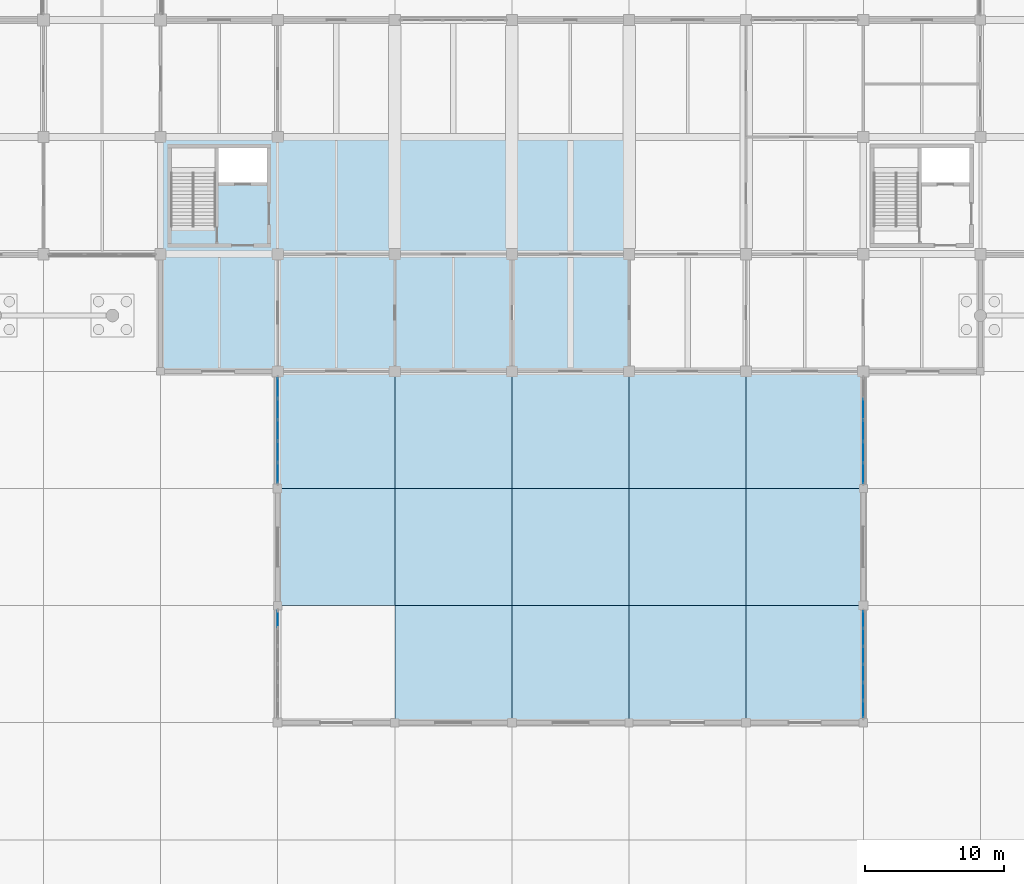
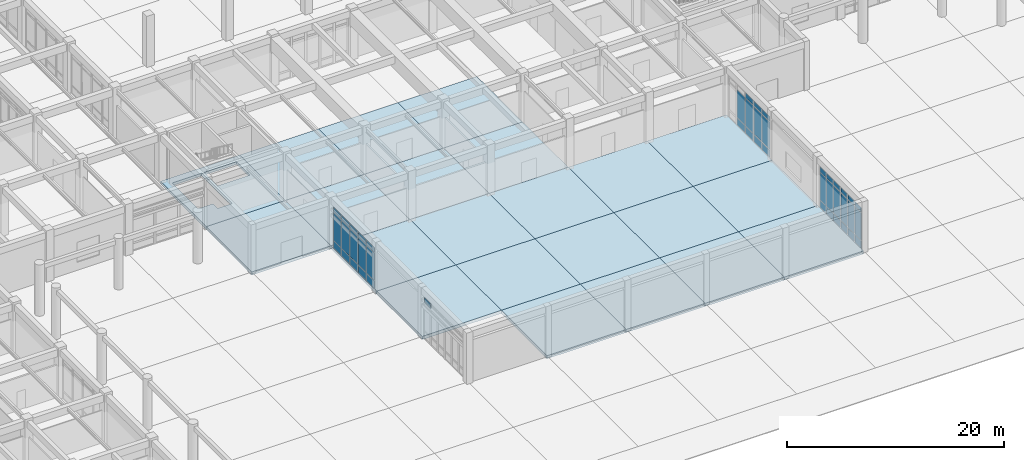
# One storey, part 50 of 91: 45 plates, 22 slabs, 4 elements without a shape of their own.
"""IFC4 building model written with IfcOpenShell, lengths in metres."""

from ifc_helpers import new_model, si_unit, direction, frame, origin, origin_2d, place, context, subcontext, project, spatial, polyline, rectangle, outline, extrude, material, layer, layer_set, type_object, element, aggregate, save


model = new_model("IFC4")

# Units and contexts
model_context = context("Model", 3, precision=1e-05, world=origin(), true_north=direction((0.0, 1.0)))
body_context = subcontext(model_context, "Body", "Model", "MODEL_VIEW")
ifc_project = project(units=[si_unit("LENGTHUNIT", "METRE"), si_unit("AREAUNIT", "SQUARE_METRE"), si_unit("VOLUMEUNIT", "CUBIC_METRE"), si_unit("PLANEANGLEUNIT", "RADIAN"), si_unit("MASSUNIT", "GRAM", prefix="KILO")], contexts=[model_context])

# Site, building, storey
site_placement = place(None, origin())
site = spatial("IfcSite", under=ifc_project, at=site_placement, CompositionType="ELEMENT")
building_placement = place(site_placement, origin())
building = spatial("IfcBuilding", under=site, at=building_placement, Name="Porcellanite Civic Hall", CompositionType="ELEMENT")
storey_placement = place(building_placement, origin())
storey = spatial("IfcBuildingStorey", under=building, at=storey_placement, Name="L00", CompositionType="ELEMENT", Elevation=0.0)

# Curtain wall, plate
ifc_material_1 = material(Name="Anodised aluminium and solar laminated glass", Category="aluminium")
ifc_layer_1 = layer(ifc_material_1, 0.179931640625)
ifc_layer_set_1 = layer_set([ifc_layer_1], Name="Anodised aluminium and solar laminated glass")
curtain_wall_type = type_object("IfcCurtainWallType", Name="CW-SYS01", PredefinedType="NOTDEFINED", material=ifc_layer_set_1)
curtain_wall_1_placement = place(storey_placement, origin())
curtain_wall_1 = element("IfcCurtainWall", 1, at=curtain_wall_1_placement, inside=storey, type_object=curtain_wall_type, Name="Curtain wall CW-027", PredefinedType="NOTDEFINED")
ifc_material_2 = material(Name="Cyclone laminated solar-control low-E glass", Category="glass")
ifc_layer_2 = layer(ifc_material_2, 0.02392578125)
ifc_layer_set_2 = layer_set([ifc_layer_2], Name="Cyclone laminated solar-control low-E glass")
plate_type = type_object("IfcPlateType", Name="CWP-01", PredefinedType="CURTAIN_PANEL", material=ifc_layer_set_2)
plate_1_placement = place(storey_placement, frame((67.199951171875, 24.231201171875, 4.0849609375), z_axis=(0.0, 0.0, 1.0), x_axis=(0.0, 1.0, 0.0)))
plate_1 = element("IfcPlate", 2, at=plate_1_placement, type_object=plate_type, Name="CW-027 panel 6.3", PredefinedType="CURTAIN_PANEL", context=body_context, shape_type="SweptSolid", body=[
    extrude(rectangle(XDim=1.175537109375, YDim=0.02392578125, at=origin_2d()), origin(), (0.0, 0.0, 1.0), 0.544921875),
])
aggregate(curtain_wall_1, [plate_1])

# Curtain wall, plates
curtain_wall_2_placement = place(storey_placement, origin())
curtain_wall_2 = element("IfcCurtainWall", 3, at=curtain_wall_2_placement, inside=storey, type_object=curtain_wall_type, Name="Curtain wall CW-028", PredefinedType="NOTDEFINED")
plate_2_placement = place(storey_placement, frame((67.199951171875, 34.71337890625, 0.070068359375), z_axis=(0.0, 0.0, 1.0), x_axis=(0.0, 1.0, 0.0)))
plate_2 = element("IfcPlate", 4, at=plate_2_placement, type_object=plate_type, Name="CW-028 panel 1.1", PredefinedType="CURTAIN_PANEL", context=body_context, shape_type="SweptSolid", body=[
    extrude(rectangle(XDim=1.41455078125, YDim=0.02392578125, at=origin_2d()), origin(), (0.0, 0.0, 1.0), 0.794921875),
])
plate_3_placement = place(storey_placement, frame((67.199951171875, 34.71337890625, 0.93505859375), z_axis=(0.0, 0.0, 1.0), x_axis=(0.0, 1.0, 0.0)))
plate_3 = element("IfcPlate", 5, at=plate_3_placement, type_object=plate_type, Name="CW-028 panel 1.2", PredefinedType="CURTAIN_PANEL", context=body_context, shape_type="SweptSolid", body=[
    extrude(rectangle(XDim=1.41455078125, YDim=0.02392578125, at=origin_2d()), origin(), (0.0, 0.0, 1.0), 3.080078125),
])
plate_4_placement = place(storey_placement, frame((67.199951171875, 34.71337890625, 4.0849609375), z_axis=(0.0, 0.0, 1.0), x_axis=(0.0, 1.0, 0.0)))
plate_4 = element("IfcPlate", 6, at=plate_4_placement, type_object=plate_type, Name="CW-028 panel 1.3", PredefinedType="CURTAIN_PANEL", context=body_context, shape_type="SweptSolid", body=[
    extrude(rectangle(XDim=1.41455078125, YDim=0.02392578125, at=origin_2d()), origin(), (0.0, 0.0, 1.0), 0.544921875),
])
plate_5_placement = place(storey_placement, frame((67.199951171875, 36.227783203125, 0.070068359375), z_axis=(0.0, 0.0, 1.0), x_axis=(0.0, 1.0, 0.0)))
plate_5 = element("IfcPlate", 7, at=plate_5_placement, type_object=plate_type, Name="CW-028 panel 2.1", PredefinedType="CURTAIN_PANEL", context=body_context, shape_type="SweptSolid", body=[
    extrude(rectangle(XDim=1.45458984375, YDim=0.02392578125, at=origin_2d()), origin(), (0.0, 0.0, 1.0), 0.794921875),
])
plate_6_placement = place(storey_placement, frame((67.199951171875, 36.227783203125, 0.93505859375), z_axis=(0.0, 0.0, 1.0), x_axis=(0.0, 1.0, 0.0)))
plate_6 = element("IfcPlate", 8, at=plate_6_placement, type_object=plate_type, Name="CW-028 panel 2.2", PredefinedType="CURTAIN_PANEL", context=body_context, shape_type="SweptSolid", body=[
    extrude(rectangle(XDim=1.45458984375, YDim=0.02392578125, at=origin_2d()), origin(), (0.0, 0.0, 1.0), 3.080078125),
])
plate_7_placement = place(storey_placement, frame((67.199951171875, 36.227783203125, 4.0849609375), z_axis=(0.0, 0.0, 1.0), x_axis=(0.0, 1.0, 0.0)))
plate_7 = element("IfcPlate", 9, at=plate_7_placement, type_object=plate_type, Name="CW-028 panel 2.3", PredefinedType="CURTAIN_PANEL", context=body_context, shape_type="SweptSolid", body=[
    extrude(rectangle(XDim=1.45458984375, YDim=0.02392578125, at=origin_2d()), origin(), (0.0, 0.0, 1.0), 0.544921875),
])
plate_8_placement = place(storey_placement, frame((67.199951171875, 37.762451171875, 0.070068359375), z_axis=(0.0, 0.0, 1.0), x_axis=(0.0, 1.0, 0.0)))
plate_8 = element("IfcPlate", 10, at=plate_8_placement, type_object=plate_type, Name="CW-028 panel 3.1", PredefinedType="CURTAIN_PANEL", context=body_context, shape_type="SweptSolid", body=[
    extrude(rectangle(XDim=1.45458984375, YDim=0.02392578125, at=origin_2d()), origin(), (0.0, 0.0, 1.0), 0.794921875),
])
plate_9_placement = place(storey_placement, frame((67.199951171875, 37.762451171875, 0.93505859375), z_axis=(0.0, 0.0, 1.0), x_axis=(0.0, 1.0, 0.0)))
plate_9 = element("IfcPlate", 11, at=plate_9_placement, type_object=plate_type, Name="CW-028 panel 3.2", PredefinedType="CURTAIN_PANEL", context=body_context, shape_type="SweptSolid", body=[
    extrude(rectangle(XDim=1.45458984375, YDim=0.02392578125, at=origin_2d()), origin(), (0.0, 0.0, 1.0), 3.080078125),
])
plate_10_placement = place(storey_placement, frame((67.199951171875, 37.762451171875, 4.0849609375), z_axis=(0.0, 0.0, 1.0), x_axis=(0.0, 1.0, 0.0)))
plate_10 = element("IfcPlate", 12, at=plate_10_placement, type_object=plate_type, Name="CW-028 panel 3.3", PredefinedType="CURTAIN_PANEL", context=body_context, shape_type="SweptSolid", body=[
    extrude(rectangle(XDim=1.45458984375, YDim=0.02392578125, at=origin_2d()), origin(), (0.0, 0.0, 1.0), 0.544921875),
])
plate_11_placement = place(storey_placement, frame((67.199951171875, 39.297119140625, 0.070068359375), z_axis=(0.0, 0.0, 1.0), x_axis=(0.0, 1.0, 0.0)))
plate_11 = element("IfcPlate", 13, at=plate_11_placement, type_object=plate_type, Name="CW-028 panel 4.1", PredefinedType="CURTAIN_PANEL", context=body_context, shape_type="SweptSolid", body=[
    extrude(rectangle(XDim=1.45458984375, YDim=0.02392578125, at=origin_2d()), origin(), (0.0, 0.0, 1.0), 0.794921875),
])
plate_12_placement = place(storey_placement, frame((67.199951171875, 39.297119140625, 0.93505859375), z_axis=(0.0, 0.0, 1.0), x_axis=(0.0, 1.0, 0.0)))
plate_12 = element("IfcPlate", 14, at=plate_12_placement, type_object=plate_type, Name="CW-028 panel 4.2", PredefinedType="CURTAIN_PANEL", context=body_context, shape_type="SweptSolid", body=[
    extrude(rectangle(XDim=1.45458984375, YDim=0.02392578125, at=origin_2d()), origin(), (0.0, 0.0, 1.0), 3.080078125),
])
plate_13_placement = place(storey_placement, frame((67.199951171875, 39.297119140625, 4.0849609375), z_axis=(0.0, 0.0, 1.0), x_axis=(0.0, 1.0, 0.0)))
plate_13 = element("IfcPlate", 15, at=plate_13_placement, type_object=plate_type, Name="CW-028 panel 4.3", PredefinedType="CURTAIN_PANEL", context=body_context, shape_type="SweptSolid", body=[
    extrude(rectangle(XDim=1.45458984375, YDim=0.02392578125, at=origin_2d()), origin(), (0.0, 0.0, 1.0), 0.544921875),
])
plate_14_placement = place(storey_placement, frame((67.199951171875, 40.811767578125, 0.070068359375), z_axis=(0.0, 0.0, 1.0), x_axis=(0.0, 1.0, 0.0)))
plate_14 = element("IfcPlate", 16, at=plate_14_placement, type_object=plate_type, Name="CW-028 panel 5.1", PredefinedType="CURTAIN_PANEL", context=body_context, shape_type="SweptSolid", body=[
    extrude(rectangle(XDim=1.41455078125, YDim=0.02392578125, at=origin_2d()), origin(), (0.0, 0.0, 1.0), 0.794921875),
])
plate_15_placement = place(storey_placement, frame((67.199951171875, 40.811767578125, 0.93505859375), z_axis=(0.0, 0.0, 1.0), x_axis=(0.0, 1.0, 0.0)))
plate_15 = element("IfcPlate", 17, at=plate_15_placement, type_object=plate_type, Name="CW-028 panel 5.2", PredefinedType="CURTAIN_PANEL", context=body_context, shape_type="SweptSolid", body=[
    extrude(rectangle(XDim=1.41455078125, YDim=0.02392578125, at=origin_2d()), origin(), (0.0, 0.0, 1.0), 3.080078125),
])
plate_16_placement = place(storey_placement, frame((67.199951171875, 40.811767578125, 4.0849609375), z_axis=(0.0, 0.0, 1.0), x_axis=(0.0, 1.0, 0.0)))
plate_16 = element("IfcPlate", 18, at=plate_16_placement, type_object=plate_type, Name="CW-028 panel 5.3", PredefinedType="CURTAIN_PANEL", context=body_context, shape_type="SweptSolid", body=[
    extrude(rectangle(XDim=1.41455078125, YDim=0.02392578125, at=origin_2d()), origin(), (0.0, 0.0, 1.0), 0.544921875),
])
aggregate(curtain_wall_2, [plate_2, plate_3, plate_4, plate_5, plate_6, plate_7, plate_8, plate_9, plate_10, plate_11, plate_12, plate_13, plate_14, plate_15, plate_16])

curtain_wall_3_placement = place(storey_placement, origin())
curtain_wall_3 = element("IfcCurtainWall", 19, at=curtain_wall_3_placement, inside=storey, type_object=curtain_wall_type, Name="Curtain wall CW-032", PredefinedType="NOTDEFINED")
plate_17_placement = place(storey_placement, frame((109.199951171875, 24.206298828125, 0.070068359375), z_axis=(0.0, 0.0, 1.0), x_axis=(0.0, -1.0, 0.0)))
plate_17 = element("IfcPlate", 20, at=plate_17_placement, type_object=plate_type, Name="CW-032 panel 1.1", PredefinedType="CURTAIN_PANEL", context=body_context, shape_type="SweptSolid", body=[
    extrude(rectangle(XDim=1.175537109375, YDim=0.02392578125, at=origin_2d()), origin(), (0.0, 0.0, 1.0), 0.794921875),
])
plate_18_placement = place(storey_placement, frame((109.199951171875, 24.206298828125, 0.93505859375), z_axis=(0.0, 0.0, 1.0), x_axis=(0.0, -1.0, 0.0)))
plate_18 = element("IfcPlate", 21, at=plate_18_placement, type_object=plate_type, Name="CW-032 panel 1.2", PredefinedType="CURTAIN_PANEL", context=body_context, shape_type="SweptSolid", body=[
    extrude(rectangle(XDim=1.175537109375, YDim=0.02392578125, at=origin_2d()), origin(), (0.0, 0.0, 1.0), 3.080078125),
])
plate_19_placement = place(storey_placement, frame((109.199951171875, 24.206298828125, 4.0849609375), z_axis=(0.0, 0.0, 1.0), x_axis=(0.0, -1.0, 0.0)))
plate_19 = element("IfcPlate", 22, at=plate_19_placement, type_object=plate_type, Name="CW-032 panel 1.3", PredefinedType="CURTAIN_PANEL", context=body_context, shape_type="SweptSolid", body=[
    extrude(rectangle(XDim=1.175537109375, YDim=0.02392578125, at=origin_2d()), origin(), (0.0, 0.0, 1.0), 0.544921875),
])
plate_20_placement = place(storey_placement, frame((109.199951171875, 22.9306640625, 0.070068359375), z_axis=(0.0, 0.0, 1.0), x_axis=(0.0, -1.0, 0.0)))
plate_20 = element("IfcPlate", 23, at=plate_20_placement, type_object=plate_type, Name="CW-032 panel 2.1", PredefinedType="CURTAIN_PANEL", context=body_context, shape_type="SweptSolid", body=[
    extrude(rectangle(XDim=1.215576171875, YDim=0.02392578125, at=origin_2d()), origin(), (0.0, 0.0, 1.0), 0.794921875),
])
plate_21_placement = place(storey_placement, frame((109.199951171875, 22.9306640625, 0.93505859375), z_axis=(0.0, 0.0, 1.0), x_axis=(0.0, -1.0, 0.0)))
plate_21 = element("IfcPlate", 24, at=plate_21_placement, type_object=plate_type, Name="CW-032 panel 2.2", PredefinedType="CURTAIN_PANEL", context=body_context, shape_type="SweptSolid", body=[
    extrude(rectangle(XDim=1.215576171875, YDim=0.02392578125, at=origin_2d()), origin(), (0.0, 0.0, 1.0), 3.080078125),
])
plate_22_placement = place(storey_placement, frame((109.199951171875, 22.9306640625, 4.0849609375), z_axis=(0.0, 0.0, 1.0), x_axis=(0.0, -1.0, 0.0)))
plate_22 = element("IfcPlate", 25, at=plate_22_placement, type_object=plate_type, Name="CW-032 panel 2.3", PredefinedType="CURTAIN_PANEL", context=body_context, shape_type="SweptSolid", body=[
    extrude(rectangle(XDim=1.215576171875, YDim=0.02392578125, at=origin_2d()), origin(), (0.0, 0.0, 1.0), 0.544921875),
])
plate_23_placement = place(storey_placement, frame((109.199951171875, 21.63525390625, 0.070068359375), z_axis=(0.0, 0.0, 1.0), x_axis=(0.0, -1.0, 0.0)))
plate_23 = element("IfcPlate", 26, at=plate_23_placement, type_object=plate_type, Name="CW-032 panel 3.1", PredefinedType="CURTAIN_PANEL", context=body_context, shape_type="SweptSolid", body=[
    extrude(rectangle(XDim=1.215576171875, YDim=0.02392578125, at=origin_2d()), origin(), (0.0, 0.0, 1.0), 0.794921875),
])
plate_24_placement = place(storey_placement, frame((109.199951171875, 21.63525390625, 0.93505859375), z_axis=(0.0, 0.0, 1.0), x_axis=(0.0, -1.0, 0.0)))
plate_24 = element("IfcPlate", 27, at=plate_24_placement, type_object=plate_type, Name="CW-032 panel 3.2", PredefinedType="CURTAIN_PANEL", context=body_context, shape_type="SweptSolid", body=[
    extrude(rectangle(XDim=1.215576171875, YDim=0.02392578125, at=origin_2d()), origin(), (0.0, 0.0, 1.0), 3.080078125),
])
plate_25_placement = place(storey_placement, frame((109.199951171875, 21.63525390625, 4.0849609375), z_axis=(0.0, 0.0, 1.0), x_axis=(0.0, -1.0, 0.0)))
plate_25 = element("IfcPlate", 28, at=plate_25_placement, type_object=plate_type, Name="CW-032 panel 3.3", PredefinedType="CURTAIN_PANEL", context=body_context, shape_type="SweptSolid", body=[
    extrude(rectangle(XDim=1.215576171875, YDim=0.02392578125, at=origin_2d()), origin(), (0.0, 0.0, 1.0), 0.544921875),
])
plate_26_placement = place(storey_placement, frame((109.199951171875, 20.33984375, 0.070068359375), z_axis=(0.0, 0.0, 1.0), x_axis=(0.0, -1.0, 0.0)))
plate_26 = element("IfcPlate", 29, at=plate_26_placement, type_object=plate_type, Name="CW-032 panel 4.1", PredefinedType="CURTAIN_PANEL", context=body_context, shape_type="SweptSolid", body=[
    extrude(rectangle(XDim=1.215576171875, YDim=0.02392578125, at=origin_2d()), origin(), (0.0, 0.0, 1.0), 0.794921875),
])
plate_27_placement = place(storey_placement, frame((109.199951171875, 20.33984375, 0.93505859375), z_axis=(0.0, 0.0, 1.0), x_axis=(0.0, -1.0, 0.0)))
plate_27 = element("IfcPlate", 30, at=plate_27_placement, type_object=plate_type, Name="CW-032 panel 4.2", PredefinedType="CURTAIN_PANEL", context=body_context, shape_type="SweptSolid", body=[
    extrude(rectangle(XDim=1.215576171875, YDim=0.02392578125, at=origin_2d()), origin(), (0.0, 0.0, 1.0), 3.080078125),
])
plate_28_placement = place(storey_placement, frame((109.199951171875, 20.33984375, 4.0849609375), z_axis=(0.0, 0.0, 1.0), x_axis=(0.0, -1.0, 0.0)))
plate_28 = element("IfcPlate", 31, at=plate_28_placement, type_object=plate_type, Name="CW-032 panel 4.3", PredefinedType="CURTAIN_PANEL", context=body_context, shape_type="SweptSolid", body=[
    extrude(rectangle(XDim=1.215576171875, YDim=0.02392578125, at=origin_2d()), origin(), (0.0, 0.0, 1.0), 0.544921875),
])
plate_29_placement = place(storey_placement, frame((109.199951171875, 19.044189453125, 0.070068359375), z_axis=(0.0, 0.0, 1.0), x_axis=(0.0, -1.0, 0.0)))
plate_29 = element("IfcPlate", 32, at=plate_29_placement, type_object=plate_type, Name="CW-032 panel 5.1", PredefinedType="CURTAIN_PANEL", context=body_context, shape_type="SweptSolid", body=[
    extrude(rectangle(XDim=1.215576171875, YDim=0.02392578125, at=origin_2d()), origin(), (0.0, 0.0, 1.0), 0.794921875),
])
plate_30_placement = place(storey_placement, frame((109.199951171875, 19.044189453125, 0.93505859375), z_axis=(0.0, 0.0, 1.0), x_axis=(0.0, -1.0, 0.0)))
plate_30 = element("IfcPlate", 33, at=plate_30_placement, type_object=plate_type, Name="CW-032 panel 5.2", PredefinedType="CURTAIN_PANEL", context=body_context, shape_type="SweptSolid", body=[
    extrude(rectangle(XDim=1.215576171875, YDim=0.02392578125, at=origin_2d()), origin(), (0.0, 0.0, 1.0), 3.080078125),
])
plate_31_placement = place(storey_placement, frame((109.199951171875, 19.044189453125, 4.0849609375), z_axis=(0.0, 0.0, 1.0), x_axis=(0.0, -1.0, 0.0)))
plate_31 = element("IfcPlate", 34, at=plate_31_placement, type_object=plate_type, Name="CW-032 panel 5.3", PredefinedType="CURTAIN_PANEL", context=body_context, shape_type="SweptSolid", body=[
    extrude(rectangle(XDim=1.215576171875, YDim=0.02392578125, at=origin_2d()), origin(), (0.0, 0.0, 1.0), 0.544921875),
])
plate_32_placement = place(storey_placement, frame((109.199951171875, 17.768798828125, 0.070068359375), z_axis=(0.0, 0.0, 1.0), x_axis=(0.0, -1.0, 0.0)))
plate_32 = element("IfcPlate", 35, at=plate_32_placement, type_object=plate_type, Name="CW-032 panel 6.1", PredefinedType="CURTAIN_PANEL", context=body_context, shape_type="SweptSolid", body=[
    extrude(rectangle(XDim=1.175537109375, YDim=0.02392578125, at=origin_2d()), origin(), (0.0, 0.0, 1.0), 0.794921875),
])
plate_33_placement = place(storey_placement, frame((109.199951171875, 17.768798828125, 0.93505859375), z_axis=(0.0, 0.0, 1.0), x_axis=(0.0, -1.0, 0.0)))
plate_33 = element("IfcPlate", 36, at=plate_33_placement, type_object=plate_type, Name="CW-032 panel 6.2", PredefinedType="CURTAIN_PANEL", context=body_context, shape_type="SweptSolid", body=[
    extrude(rectangle(XDim=1.175537109375, YDim=0.02392578125, at=origin_2d()), origin(), (0.0, 0.0, 1.0), 3.080078125),
])
plate_34_placement = place(storey_placement, frame((109.199951171875, 17.768798828125, 4.0849609375), z_axis=(0.0, 0.0, 1.0), x_axis=(0.0, -1.0, 0.0)))
plate_34 = element("IfcPlate", 37, at=plate_34_placement, type_object=plate_type, Name="CW-032 panel 6.3", PredefinedType="CURTAIN_PANEL", context=body_context, shape_type="SweptSolid", body=[
    extrude(rectangle(XDim=1.175537109375, YDim=0.02392578125, at=origin_2d()), origin(), (0.0, 0.0, 1.0), 0.544921875),
])
aggregate(curtain_wall_3, [plate_17, plate_18, plate_19, plate_20, plate_21, plate_22, plate_23, plate_24, plate_25, plate_26, plate_27, plate_28, plate_29, plate_30, plate_31, plate_32, plate_33, plate_34])

curtain_wall_4_placement = place(storey_placement, origin())
curtain_wall_4 = element("IfcCurtainWall", 38, at=curtain_wall_4_placement, inside=storey, type_object=curtain_wall_type, Name="Curtain wall CW-033", PredefinedType="NOTDEFINED")
plate_35_placement = place(storey_placement, frame((109.199951171875, 39.28955078125, 0.070068359375), z_axis=(0.0, 0.0, 1.0), x_axis=(0.0, -1.0, 0.0)))
plate_35 = element("IfcPlate", 39, at=plate_35_placement, type_object=plate_type, Name="CW-033 panel 2.1", PredefinedType="CURTAIN_PANEL", context=body_context, shape_type="SweptSolid", body=[
    extrude(rectangle(XDim=1.459716796875, YDim=0.02392578125, at=origin_2d()), origin(), (0.0, 0.0, 1.0), 0.794921875),
])
plate_36_placement = place(storey_placement, frame((109.199951171875, 39.28955078125, 0.93505859375), z_axis=(0.0, 0.0, 1.0), x_axis=(0.0, -1.0, 0.0)))
plate_36 = element("IfcPlate", 40, at=plate_36_placement, type_object=plate_type, Name="CW-033 panel 2.2", PredefinedType="CURTAIN_PANEL", context=body_context, shape_type="SweptSolid", body=[
    extrude(rectangle(XDim=1.459716796875, YDim=0.02392578125, at=origin_2d()), origin(), (0.0, 0.0, 1.0), 3.080078125),
])
plate_37_placement = place(storey_placement, frame((109.199951171875, 37.75, 0.070068359375), z_axis=(0.0, 0.0, 1.0), x_axis=(0.0, -1.0, 0.0)))
plate_37 = element("IfcPlate", 41, at=plate_37_placement, type_object=plate_type, Name="CW-033 panel 3.1", PredefinedType="CURTAIN_PANEL", context=body_context, shape_type="SweptSolid", body=[
    extrude(rectangle(XDim=1.459716796875, YDim=0.02392578125, at=origin_2d()), origin(), (0.0, 0.0, 1.0), 0.794921875),
])
plate_38_placement = place(storey_placement, frame((109.199951171875, 37.75, 0.93505859375), z_axis=(0.0, 0.0, 1.0), x_axis=(0.0, -1.0, 0.0)))
plate_38 = element("IfcPlate", 42, at=plate_38_placement, type_object=plate_type, Name="CW-033 panel 3.2", PredefinedType="CURTAIN_PANEL", context=body_context, shape_type="SweptSolid", body=[
    extrude(rectangle(XDim=1.459716796875, YDim=0.02392578125, at=origin_2d()), origin(), (0.0, 0.0, 1.0), 3.080078125),
])
plate_39_placement = place(storey_placement, frame((109.199951171875, 37.75, 4.0849609375), z_axis=(0.0, 0.0, 1.0), x_axis=(0.0, -1.0, 0.0)))
plate_39 = element("IfcPlate", 43, at=plate_39_placement, type_object=plate_type, Name="CW-033 panel 3.3", PredefinedType="CURTAIN_PANEL", context=body_context, shape_type="SweptSolid", body=[
    extrude(rectangle(XDim=1.459716796875, YDim=0.02392578125, at=origin_2d()), origin(), (0.0, 0.0, 1.0), 0.544921875),
])
plate_40_placement = place(storey_placement, frame((109.199951171875, 36.21044921875, 0.070068359375), z_axis=(0.0, 0.0, 1.0), x_axis=(0.0, -1.0, 0.0)))
plate_40 = element("IfcPlate", 44, at=plate_40_placement, type_object=plate_type, Name="CW-033 panel 4.1", PredefinedType="CURTAIN_PANEL", context=body_context, shape_type="SweptSolid", body=[
    extrude(rectangle(XDim=1.459716796875, YDim=0.02392578125, at=origin_2d()), origin(), (0.0, 0.0, 1.0), 0.794921875),
])
plate_41_placement = place(storey_placement, frame((109.199951171875, 36.21044921875, 0.93505859375), z_axis=(0.0, 0.0, 1.0), x_axis=(0.0, -1.0, 0.0)))
plate_41 = element("IfcPlate", 45, at=plate_41_placement, type_object=plate_type, Name="CW-033 panel 4.2", PredefinedType="CURTAIN_PANEL", context=body_context, shape_type="SweptSolid", body=[
    extrude(rectangle(XDim=1.459716796875, YDim=0.02392578125, at=origin_2d()), origin(), (0.0, 0.0, 1.0), 3.080078125),
])
plate_42_placement = place(storey_placement, frame((109.199951171875, 36.21044921875, 4.0849609375), z_axis=(0.0, 0.0, 1.0), x_axis=(0.0, -1.0, 0.0)))
plate_42 = element("IfcPlate", 46, at=plate_42_placement, type_object=plate_type, Name="CW-033 panel 4.3", PredefinedType="CURTAIN_PANEL", context=body_context, shape_type="SweptSolid", body=[
    extrude(rectangle(XDim=1.459716796875, YDim=0.02392578125, at=origin_2d()), origin(), (0.0, 0.0, 1.0), 0.544921875),
])
plate_43_placement = place(storey_placement, frame((109.199951171875, 34.69091796875, 0.070068359375), z_axis=(0.0, 0.0, 1.0), x_axis=(0.0, -1.0, 0.0)))
plate_43 = element("IfcPlate", 47, at=plate_43_placement, type_object=plate_type, Name="CW-033 panel 5.1", PredefinedType="CURTAIN_PANEL", context=body_context, shape_type="SweptSolid", body=[
    extrude(rectangle(XDim=1.419677734375, YDim=0.02392578125, at=origin_2d()), origin(), (0.0, 0.0, 1.0), 0.794921875),
])
plate_44_placement = place(storey_placement, frame((109.199951171875, 34.69091796875, 0.93505859375), z_axis=(0.0, 0.0, 1.0), x_axis=(0.0, -1.0, 0.0)))
plate_44 = element("IfcPlate", 48, at=plate_44_placement, type_object=plate_type, Name="CW-033 panel 5.2", PredefinedType="CURTAIN_PANEL", context=body_context, shape_type="SweptSolid", body=[
    extrude(rectangle(XDim=1.419677734375, YDim=0.02392578125, at=origin_2d()), origin(), (0.0, 0.0, 1.0), 3.080078125),
])
plate_45_placement = place(storey_placement, frame((109.199951171875, 34.69091796875, 4.0849609375), z_axis=(0.0, 0.0, 1.0), x_axis=(0.0, -1.0, 0.0)))
plate_45 = element("IfcPlate", 49, at=plate_45_placement, type_object=plate_type, Name="CW-033 panel 5.3", PredefinedType="CURTAIN_PANEL", context=body_context, shape_type="SweptSolid", body=[
    extrude(rectangle(XDim=1.419677734375, YDim=0.02392578125, at=origin_2d()), origin(), (0.0, 0.0, 1.0), 0.544921875),
])
aggregate(curtain_wall_4, [plate_35, plate_36, plate_37, plate_38, plate_39, plate_40, plate_41, plate_42, plate_43, plate_44, plate_45])

# Slabs
ifc_material_3 = material(Name="Concrete N40 (40 MPa)", Category="concrete")
ifc_layer_3 = layer(ifc_material_3, 0.35009765625)
ifc_layer_set_3 = layer_set([ifc_layer_3], Name="Concrete N40 (40 MPa)")
slab_type_1 = type_object("IfcSlabType", Name="SL-BASE350", PredefinedType="BASESLAB", material=ifc_layer_set_3)
slab_1_placement = place(storey_placement, frame((0.0, 0.0, -0.35009765625)))
element("IfcSlab", 50, at=slab_1_placement, inside=storey, type_object=slab_type_1, Name="Slab L00 bay 8-6", PredefinedType="BASESLAB", context=body_context, shape_type="SweptSolid", body=[
    extrude(outline(polyline([(58.800048828125, 42.0), (67.199951171875, 42.0), (67.199951171875, 50.39990234375), (58.800048828125, 50.39990234375), (58.800048828125, 42.0)])), origin(), (0.0, 0.0, 1.0), 0.35009765625),
])
slab_2_placement = place(storey_placement, frame((0.0, 0.0, -0.35009765625)))
element("IfcSlab", 51, at=slab_2_placement, inside=storey, type_object=slab_type_1, Name="Slab L00 bay 9-4", PredefinedType="BASESLAB", context=body_context, shape_type="SweptSolid", body=[
    extrude(outline(polyline([(67.199951171875, 25.199951171875), (75.60009765625, 25.199951171875), (75.60009765625, 33.60009765625), (67.199951171875, 33.60009765625), (67.199951171875, 25.199951171875)])), origin(), (0.0, 0.0, 1.0), 0.35009765625),
])
slab_3_placement = place(storey_placement, frame((0.0, 0.0, -0.35009765625)))
element("IfcSlab", 52, at=slab_3_placement, inside=storey, type_object=slab_type_1, Name="Slab L00 bay 9-5", PredefinedType="BASESLAB", context=body_context, shape_type="SweptSolid", body=[
    extrude(outline(polyline([(67.199951171875, 33.60009765625), (75.60009765625, 33.60009765625), (75.60009765625, 42.0), (67.199951171875, 42.0), (67.199951171875, 33.60009765625)])), origin(), (0.0, 0.0, 1.0), 0.35009765625),
])
slab_4_placement = place(storey_placement, frame((0.0, 0.0, -0.35009765625)))
element("IfcSlab", 53, at=slab_4_placement, inside=storey, type_object=slab_type_1, Name="Slab L00 bay 9-6", PredefinedType="BASESLAB", context=body_context, shape_type="SweptSolid", body=[
    extrude(outline(polyline([(67.199951171875, 42.0), (75.60009765625, 42.0), (75.60009765625, 50.39990234375), (67.199951171875, 50.39990234375), (67.199951171875, 42.0)])), origin(), (0.0, 0.0, 1.0), 0.35009765625),
])
slab_5_placement = place(storey_placement, frame((0.0, 0.0, -0.35009765625)))
element("IfcSlab", 54, at=slab_5_placement, inside=storey, type_object=slab_type_1, Name="Slab L00 bay 10-3", PredefinedType="BASESLAB", context=body_context, shape_type="SweptSolid", body=[
    extrude(outline(polyline([(75.60009765625, 16.800048828125), (84.0, 16.800048828125), (84.0, 25.199951171875), (75.60009765625, 25.199951171875), (75.60009765625, 16.800048828125)])), origin(), (0.0, 0.0, 1.0), 0.35009765625),
])
slab_6_placement = place(storey_placement, frame((0.0, 0.0, -0.35009765625)))
element("IfcSlab", 55, at=slab_6_placement, inside=storey, type_object=slab_type_1, Name="Slab L00 bay 10-4", PredefinedType="BASESLAB", context=body_context, shape_type="SweptSolid", body=[
    extrude(outline(polyline([(75.60009765625, 25.199951171875), (84.0, 25.199951171875), (84.0, 33.60009765625), (75.60009765625, 33.60009765625), (75.60009765625, 25.199951171875)])), origin(), (0.0, 0.0, 1.0), 0.35009765625),
])
slab_7_placement = place(storey_placement, frame((0.0, 0.0, -0.35009765625)))
element("IfcSlab", 56, at=slab_7_placement, inside=storey, type_object=slab_type_1, Name="Slab L00 bay 10-5", PredefinedType="BASESLAB", context=body_context, shape_type="SweptSolid", body=[
    extrude(outline(polyline([(75.60009765625, 33.60009765625), (84.0, 33.60009765625), (84.0, 42.0), (75.60009765625, 42.0), (75.60009765625, 33.60009765625)])), origin(), (0.0, 0.0, 1.0), 0.35009765625),
])
slab_8_placement = place(storey_placement, frame((0.0, 0.0, -0.35009765625)))
element("IfcSlab", 57, at=slab_8_placement, inside=storey, type_object=slab_type_1, Name="Slab L00 bay 10-6", PredefinedType="BASESLAB", context=body_context, shape_type="SweptSolid", body=[
    extrude(outline(polyline([(75.60009765625, 42.0), (84.0, 42.0), (84.0, 50.39990234375), (75.60009765625, 50.39990234375), (75.60009765625, 42.0)])), origin(), (0.0, 0.0, 1.0), 0.35009765625),
])
slab_9_placement = place(storey_placement, frame((0.0, 0.0, -0.35009765625)))
element("IfcSlab", 58, at=slab_9_placement, inside=storey, type_object=slab_type_1, Name="Slab L00 bay 11-3", PredefinedType="BASESLAB", context=body_context, shape_type="SweptSolid", body=[
    extrude(outline(polyline([(84.0, 16.800048828125), (92.39990234375, 16.800048828125), (92.39990234375, 25.199951171875), (84.0, 25.199951171875), (84.0, 16.800048828125)])), origin(), (0.0, 0.0, 1.0), 0.35009765625),
])
slab_10_placement = place(storey_placement, frame((0.0, 0.0, -0.35009765625)))
element("IfcSlab", 59, at=slab_10_placement, inside=storey, type_object=slab_type_1, Name="Slab L00 bay 11-4", PredefinedType="BASESLAB", context=body_context, shape_type="SweptSolid", body=[
    extrude(outline(polyline([(84.0, 25.199951171875), (92.39990234375, 25.199951171875), (92.39990234375, 33.60009765625), (84.0, 33.60009765625), (84.0, 25.199951171875)])), origin(), (0.0, 0.0, 1.0), 0.35009765625),
])
slab_11_placement = place(storey_placement, frame((0.0, 0.0, -0.35009765625)))
element("IfcSlab", 60, at=slab_11_placement, inside=storey, type_object=slab_type_1, Name="Slab L00 bay 11-5", PredefinedType="BASESLAB", context=body_context, shape_type="SweptSolid", body=[
    extrude(outline(polyline([(84.0, 33.60009765625), (92.39990234375, 33.60009765625), (92.39990234375, 42.0), (84.0, 42.0), (84.0, 33.60009765625)])), origin(), (0.0, 0.0, 1.0), 0.35009765625),
])
slab_12_placement = place(storey_placement, frame((0.0, 0.0, -0.35009765625)))
element("IfcSlab", 61, at=slab_12_placement, inside=storey, type_object=slab_type_1, Name="Slab L00 bay 11-6", PredefinedType="BASESLAB", context=body_context, shape_type="SweptSolid", body=[
    extrude(outline(polyline([(84.0, 42.0), (92.39990234375, 42.0), (92.39990234375, 50.39990234375), (84.0, 50.39990234375), (84.0, 42.0)])), origin(), (0.0, 0.0, 1.0), 0.35009765625),
])
slab_13_placement = place(storey_placement, frame((0.0, 0.0, -0.35009765625)))
element("IfcSlab", 62, at=slab_13_placement, inside=storey, type_object=slab_type_1, Name="Slab L00 bay 12-3", PredefinedType="BASESLAB", context=body_context, shape_type="SweptSolid", body=[
    extrude(outline(polyline([(92.39990234375, 16.800048828125), (100.800048828125, 16.800048828125), (100.800048828125, 25.199951171875), (92.39990234375, 25.199951171875), (92.39990234375, 16.800048828125)])), origin(), (0.0, 0.0, 1.0), 0.35009765625),
])
slab_14_placement = place(storey_placement, frame((0.0, 0.0, -0.35009765625)))
element("IfcSlab", 63, at=slab_14_placement, inside=storey, type_object=slab_type_1, Name="Slab L00 bay 12-4", PredefinedType="BASESLAB", context=body_context, shape_type="SweptSolid", body=[
    extrude(outline(polyline([(92.39990234375, 25.199951171875), (100.800048828125, 25.199951171875), (100.800048828125, 33.60009765625), (92.39990234375, 33.60009765625), (92.39990234375, 25.199951171875)])), origin(), (0.0, 0.0, 1.0), 0.35009765625),
])
slab_15_placement = place(storey_placement, frame((0.0, 0.0, -0.35009765625)))
element("IfcSlab", 64, at=slab_15_placement, inside=storey, type_object=slab_type_1, Name="Slab L00 bay 12-5", PredefinedType="BASESLAB", context=body_context, shape_type="SweptSolid", body=[
    extrude(outline(polyline([(92.39990234375, 33.60009765625), (100.800048828125, 33.60009765625), (100.800048828125, 42.0), (92.39990234375, 42.0), (92.39990234375, 33.60009765625)])), origin(), (0.0, 0.0, 1.0), 0.35009765625),
])
slab_16_placement = place(storey_placement, frame((0.0, 0.0, -0.35009765625)))
element("IfcSlab", 65, at=slab_16_placement, inside=storey, type_object=slab_type_1, Name="Slab L00 bay 13-3", PredefinedType="BASESLAB", context=body_context, shape_type="SweptSolid", body=[
    extrude(outline(polyline([(100.800048828125, 16.800048828125), (109.199951171875, 16.800048828125), (109.199951171875, 25.199951171875), (100.800048828125, 25.199951171875), (100.800048828125, 16.800048828125)])), origin(), (0.0, 0.0, 1.0), 0.35009765625),
])
slab_17_placement = place(storey_placement, frame((0.0, 0.0, -0.35009765625)))
element("IfcSlab", 66, at=slab_17_placement, inside=storey, type_object=slab_type_1, Name="Slab L00 bay 13-4", PredefinedType="BASESLAB", context=body_context, shape_type="SweptSolid", body=[
    extrude(outline(polyline([(100.800048828125, 25.199951171875), (109.199951171875, 25.199951171875), (109.199951171875, 33.60009765625), (100.800048828125, 33.60009765625), (100.800048828125, 25.199951171875)])), origin(), (0.0, 0.0, 1.0), 0.35009765625),
])
slab_18_placement = place(storey_placement, frame((0.0, 0.0, -0.35009765625)))
element("IfcSlab", 67, at=slab_18_placement, inside=storey, type_object=slab_type_1, Name="Slab L00 bay 13-5", PredefinedType="BASESLAB", context=body_context, shape_type="SweptSolid", body=[
    extrude(outline(polyline([(100.800048828125, 33.60009765625), (109.199951171875, 33.60009765625), (109.199951171875, 42.0), (100.800048828125, 42.0), (100.800048828125, 33.60009765625)])), origin(), (0.0, 0.0, 1.0), 0.35009765625),
])
ifc_material_4 = material(Name="Concrete N40 (40 MPa)", Category="concrete")
ifc_layer_4 = layer(ifc_material_4, 0.300048828125)
ifc_layer_set_4 = layer_set([ifc_layer_4], Name="Concrete N40 (40 MPa)")
slab_type_2 = type_object("IfcSlabType", Name="SL-TR300", PredefinedType="FLOOR", material=ifc_layer_set_4)
slab_19_placement = place(storey_placement, frame((0.0, 0.0, -0.300048828125)))
element("IfcSlab", 68, at=slab_19_placement, inside=storey, type_object=slab_type_2, Name="Slab L00 bay 8-7", PredefinedType="FLOOR", context=body_context, shape_type="SweptSolid", body=[
    extrude(outline(polyline([(58.800048828125, 50.39990234375), (67.199951171875, 50.39990234375), (67.199951171875, 58.800048828125), (58.800048828125, 58.800048828125), (58.800048828125, 50.39990234375)]), holes=[polyline([(59.580078125, 53.25), (61.159912109375, 53.25), (61.159912109375, 52.39990234375), (62.719970703125, 52.39990234375), (62.719970703125, 58.02001953125), (59.580078125, 58.02001953125), (59.580078125, 53.25)]), polyline([(62.9599609375, 55.5400390625), (66.419921875, 55.5400390625), (66.419921875, 58.02001953125), (62.9599609375, 58.02001953125), (62.9599609375, 55.5400390625)])]), origin(), (0.0, 0.0, 1.0), 0.300048828125),
])
slab_20_placement = place(storey_placement, frame((0.0, 0.0, -0.300048828125)))
element("IfcSlab", 69, at=slab_20_placement, inside=storey, type_object=slab_type_2, Name="Slab L00 bay 9-7", PredefinedType="FLOOR", context=body_context, shape_type="SweptSolid", body=[
    extrude(outline(polyline([(67.199951171875, 50.39990234375), (75.60009765625, 50.39990234375), (75.60009765625, 58.800048828125), (67.199951171875, 58.800048828125), (67.199951171875, 50.39990234375)])), origin(), (0.0, 0.0, 1.0), 0.300048828125),
])
slab_21_placement = place(storey_placement, frame((0.0, 0.0, -0.300048828125)))
element("IfcSlab", 70, at=slab_21_placement, inside=storey, type_object=slab_type_2, Name="Slab L00 bay 10-7", PredefinedType="FLOOR", context=body_context, shape_type="SweptSolid", body=[
    extrude(outline(polyline([(75.60009765625, 50.39990234375), (84.0, 50.39990234375), (84.0, 58.800048828125), (75.60009765625, 58.800048828125), (75.60009765625, 50.39990234375)])), origin(), (0.0, 0.0, 1.0), 0.300048828125),
])
slab_22_placement = place(storey_placement, frame((0.0, 0.0, -0.300048828125)))
element("IfcSlab", 71, at=slab_22_placement, inside=storey, type_object=slab_type_2, Name="Slab L00 bay 11-7", PredefinedType="FLOOR", context=body_context, shape_type="SweptSolid", body=[
    extrude(outline(polyline([(84.0, 50.39990234375), (92.39990234375, 50.39990234375), (92.39990234375, 58.800048828125), (84.0, 58.800048828125), (84.0, 50.39990234375)])), origin(), (0.0, 0.0, 1.0), 0.300048828125),
])

save(model, "model.ifc")
